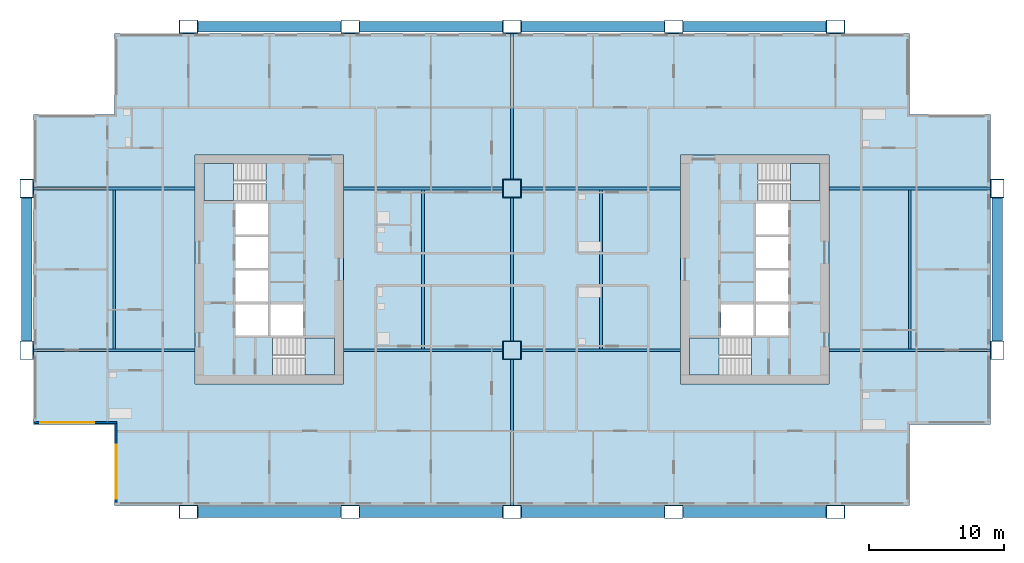
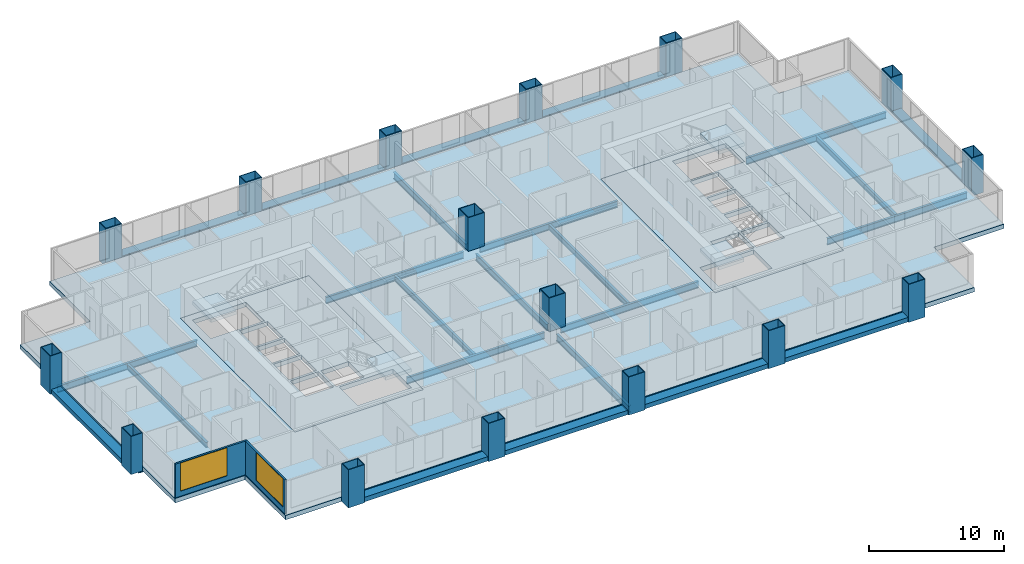
# One storey, part 1 of 12: 25 beams, 16 columns, 7 slabs, 2 walls, 2 windows, 2 openings, 4 elements without a shape of their own.
"""IFC4 building model written with IfcOpenShell, lengths in metres."""

from ifc_helpers import new_model, si_unit, direction, frame, frame_2d, origin, origin_2d, place, context, subcontext, project, spatial, polyline, rectangle, hollow_rectangle, i_section, outline, extrude, material, layer, layer_set, material_profile, profile_set, type_object, element, fill, aggregate, save


model = new_model("IFC4")

# Units and contexts
model_context = context("Model", 3, precision=1e-05, world=origin(), true_north=direction((0.0, 1.0)))
body_context = subcontext(model_context, "Body", "Model", "MODEL_VIEW")
ifc_project = project(units=[si_unit("LENGTHUNIT", "METRE"), si_unit("AREAUNIT", "SQUARE_METRE"), si_unit("VOLUMEUNIT", "CUBIC_METRE"), si_unit("PLANEANGLEUNIT", "RADIAN"), si_unit("MASSUNIT", "GRAM", prefix="KILO")], contexts=[model_context])

# Site, building, storey
site_placement = place(None, origin())
site = spatial("IfcSite", under=ifc_project, at=site_placement, CompositionType="ELEMENT")
building_placement = place(site_placement, origin())
building = spatial("IfcBuilding", under=site, at=building_placement, Name="Kitamizu Gate Tower and Museum", CompositionType="ELEMENT")
storey_placement = place(building_placement, frame((0.0, 0.0, 134.550048828125)))
storey = spatial("IfcBuildingStorey", under=building, at=storey_placement, Name="L35", CompositionType="ELEMENT", Elevation=134.550048828125)

# Columns
ifc_material_1 = material(Name="Steel SM490A bronze coated", Category="steel")
ifc_material_profile_1 = material_profile(ifc_material_1, hollow_rectangle(XDim=1.39990234375, YDim=1.0, WallThickness=0.054931640625, at=origin_2d()), Name="BOX 1400x1000x55")
ifc_profile_set_1 = profile_set([ifc_material_profile_1], Name="Steel SM490A bronze coated")
column_type_1 = type_object("IfcColumnType", Name="Exoskeleton column XC5 BOX 1400x1000x55", PredefinedType="COLUMN", material=ifc_profile_set_1)
for number, where, z_axis, x_axis, name in (
    (1, (0.0, 24.0, -0.400146484375), (0.0, 0.0, 1.0), (0.0, 1.0, 0.0), "Column XC5 1C L35"),
    (2, (0.0, 36.0, -0.400146484375), (0.0, 0.0, 1.0), (0.0, 1.0, 0.0), "Column XC5 1D L35"),
    (3, (12.0, 12.0, -0.400146484375), (0.0, 0.0, 1.0), (1.0, 0.0, 0.0), "Column XC5 2B L35"),
    (4, (12.0, 48.0, -0.400146484375), (0.0, 0.0, 1.0), (1.0, 0.0, 0.0), "Column XC5 2E L35"),
    (5, (24.0, 12.0, -0.400146484375), (0.0, 0.0, 1.0), (1.0, 0.0, 0.0), "Column XC5 3B L35"),
    (6, (24.0, 48.0, -0.400146484375), (0.0, 0.0, 1.0), (1.0, 0.0, 0.0), "Column XC5 3E L35"),
    (7, (36.0, 12.0, -0.400146484375), (0.0, 0.0, 1.0), (1.0, 0.0, 0.0), "Column XC5 4B L35"),
    (8, (36.0, 48.0, -0.400146484375), (0.0, 0.0, 1.0), (1.0, 0.0, 0.0), "Column XC5 4E L35"),
    (9, (48.0, 12.0, -0.400146484375), (0.0, 0.0, 1.0), (1.0, 0.0, 0.0), "Column XC5 5B L35"),
    (10, (48.0, 48.0, -0.400146484375), (0.0, 0.0, 1.0), (1.0, 0.0, 0.0), "Column XC5 5E L35"),
    (11, (60.0, 12.0, -0.400146484375), (0.0, 0.0, 1.0), (1.0, 0.0, 0.0), "Column XC5 6B L35"),
    (12, (60.0, 48.0, -0.400146484375), (0.0, 0.0, 1.0), (1.0, 0.0, 0.0), "Column XC5 6E L35"),
    (13, (72.0, 24.0, -0.400146484375), (0.0, 0.0, 1.0), (0.0, 1.0, 0.0), "Column XC5 7C L35"),
    (14, (72.0, 36.0, -0.400146484375), (0.0, 0.0, 1.0), (0.0, 1.0, 0.0), "Column XC5 7D L35"),
):
    element("IfcColumn", number, at=place(storey_placement, frame(where, z_axis=z_axis, x_axis=x_axis)), inside=storey, type_object=column_type_1, Name=name, PredefinedType="COLUMN", context=body_context, shape_type="SweptSolid", body=[
        extrude(hollow_rectangle(XDim=1.39990234375, YDim=1.0, WallThickness=0.054931640625, at=origin_2d()), origin(), (0.0, 0.0, 1.0), 3.4501953125),
    ])
ifc_material_2 = material(Name="Steel SM490A", Category="steel")
ifc_material_profile_2 = material_profile(ifc_material_2, hollow_rectangle(XDim=1.39990234375, YDim=1.39990234375, WallThickness=0.06005859375, at=origin_2d()), Name="BOX 1400x1400x60")
ifc_profile_set_2 = profile_set([ifc_material_profile_2], Name="Steel SM490A")
column_type_2 = type_object("IfcColumnType", Name="Interior column IC3 BOX 1400x1400x60", PredefinedType="COLUMN", material=ifc_profile_set_2)
for number, where, z_axis, x_axis, name in (
    (15, (36.0, 24.0, 0.0), (0.0, 0.0, 1.0), (1.0, 0.0, 0.0), "Column IC3 4C L35"),
    (16, (36.0, 36.0, 0.0), (0.0, 0.0, 1.0), (1.0, 0.0, 0.0), "Column IC3 4D L35"),
):
    element("IfcColumn", number, at=place(storey_placement, frame(where, z_axis=z_axis, x_axis=x_axis)), inside=storey, type_object=column_type_2, Name=name, PredefinedType="COLUMN", context=body_context, shape_type="SweptSolid", body=[
        extrude(hollow_rectangle(XDim=1.39990234375, YDim=1.39990234375, WallThickness=0.06005859375, at=origin_2d()), origin(), (0.0, 0.0, 1.0), 3.050048828125),
    ])

# Beams
ifc_material_3 = material(Name="Steel SM490A bronze coated", Category="steel")
ifc_material_profile_3 = material_profile(ifc_material_3, hollow_rectangle(XDim=0.800048828125, YDim=0.39990234375, WallThickness=0.0400390625, at=origin_2d()), Name="BOX 800x400x40")
ifc_profile_set_3 = profile_set([ifc_material_profile_3], Name="Steel SM490A bronze coated")
beam_type_1 = type_object("IfcBeamType", Name="Exoskeleton spandrel beam SB1 BOX 800x400x40", PredefinedType="SPANDREL", material=ifc_profile_set_3)
for number, where, z_axis, x_axis, name in (
    (17, (12.699951171875, 12.0, -0.199951171875), (1.0, 0.0, 0.0), (0.0, 1.0, 0.0), "Exoskeleton spandrel beam south 12 L35"),
    (18, (24.699951171875, 12.0, -0.199951171875), (1.0, 0.0, 0.0), (0.0, 1.0, 0.0), "Exoskeleton spandrel beam south 24 L35"),
    (19, (36.699951171875, 12.0, -0.199951171875), (1.0, 0.0, 0.0), (0.0, 1.0, 0.0), "Exoskeleton spandrel beam south 36 L35"),
    (20, (48.699951171875, 12.0, -0.199951171875), (1.0, 0.0, 0.0), (0.0, 1.0, 0.0), "Exoskeleton spandrel beam south 48 L35"),
    (21, (12.699951171875, 48.0, -0.199951171875), (1.0, 0.0, 0.0), (0.0, 1.0, 0.0), "Exoskeleton spandrel beam north 12 L35"),
    (22, (24.699951171875, 48.0, -0.199951171875), (1.0, 0.0, 0.0), (0.0, 1.0, 0.0), "Exoskeleton spandrel beam north 24 L35"),
    (23, (36.699951171875, 48.0, -0.199951171875), (1.0, 0.0, 0.0), (0.0, 1.0, 0.0), "Exoskeleton spandrel beam north 36 L35"),
    (24, (48.699951171875, 48.0, -0.199951171875), (1.0, 0.0, 0.0), (0.0, 1.0, 0.0), "Exoskeleton spandrel beam north 48 L35"),
    (25, (0.0, 24.699951171875, -0.199951171875), (0.0, 1.0, 0.0), (-1.0, 0.0, 0.0), "Exoskeleton spandrel beam west 24 L35"),
    (26, (72.0, 24.699951171875, -0.199951171875), (0.0, 1.0, 0.0), (-1.0, 0.0, 0.0), "Exoskeleton spandrel beam east 24 L35"),
):
    element("IfcBeam", number, at=place(storey_placement, frame(where, z_axis=z_axis, x_axis=x_axis)), inside=storey, type_object=beam_type_1, Name=name, PredefinedType="SPANDREL", context=body_context, shape_type="SweptSolid", body=[
        extrude(hollow_rectangle(XDim=0.800048828125, YDim=0.39990234375, WallThickness=0.0400390625, at=origin_2d()), origin(), (0.0, 0.0, 1.0), 10.60009765625),
    ])
ifc_material_4 = material(Name="Steel SM490A", Category="steel")
ifc_material_profile_4 = material_profile(ifc_material_4, i_section(OverallWidth=0.199951171875, OverallDepth=0.5, WebThickness=0.010009765625, FlangeThickness=0.01611328125, FilletRadius=0.02001953125, at=origin_2d()), Name="H-500x200x10x16")
ifc_profile_set_4 = profile_set([ifc_material_profile_4], Name="Steel SM490A")
beam_type_2 = type_object("IfcBeamType", Name="Floor beam FB1 H 500x200x10x16", PredefinedType="BEAM", material=ifc_profile_set_4)
for number, where, z_axis, x_axis, name in (
    (27, (6.5, 24.10009765625, -0.650146484375), (0.0, 1.0, 0.0), (-1.0, 0.0, 0.0), "Floor beam FB1 L35-1"),
    (28, (29.39990234375, 24.10009765625, -0.650146484375), (0.0, 1.0, 0.0), (-1.0, 0.0, 0.0), "Floor beam FB1 L35-2"),
    (29, (42.60009765625, 24.10009765625, -0.650146484375), (0.0, 1.0, 0.0), (-1.0, 0.0, 0.0), "Floor beam FB1 L35-3"),
    (30, (65.5, 24.10009765625, -0.650146484375), (0.0, 1.0, 0.0), (-1.0, 0.0, 0.0), "Floor beam FB1 L35-4"),
):
    element("IfcBeam", number, at=place(storey_placement, frame(where, z_axis=z_axis, x_axis=x_axis)), inside=storey, type_object=beam_type_2, Name=name, PredefinedType="BEAM", context=body_context, shape_type="SweptSolid", body=[
        extrude(i_section(OverallWidth=0.199951171875, OverallDepth=0.5, WebThickness=0.010009765625, FlangeThickness=0.01611328125, FilletRadius=0.02001953125, at=origin_2d()), origin(), (0.0, 0.0, 1.0), 11.7998046875),
    ])
ifc_material_5 = material(Name="Steel SM490A", Category="steel")
ifc_material_profile_5 = material_profile(ifc_material_5, i_section(OverallWidth=0.199951171875, OverallDepth=0.60009765625, WebThickness=0.010986328125, FlangeThickness=0.01708984375, FilletRadius=0.02197265625, at=origin_2d()), Name="H-600x200x11x17")
ifc_profile_set_5 = profile_set([ifc_material_profile_5], Name="Steel SM490A")
beam_type_3 = type_object("IfcBeamType", Name="Floor girder FG1 H 600x200x11x17", PredefinedType="BEAM", material=ifc_profile_set_5)
beam_1_placement = place(storey_placement, frame((36.0, 12.5, -0.699951171875), z_axis=(0.0, 1.0, 0.0), x_axis=(-1.0, 0.0, 0.0)))
element("IfcBeam", 31, at=beam_1_placement, inside=storey, type_object=beam_type_3, Name="Floor girder FG1 x36 L35", PredefinedType="BEAM", context=body_context, shape_type="SweptSolid", body=[
    extrude(i_section(OverallWidth=0.199951171875, OverallDepth=0.60009765625, WebThickness=0.010986328125, FlangeThickness=0.01708984375, FilletRadius=0.02197265625, at=origin_2d()), origin(), (0.0, 0.0, 1.0), 10.800048828125),
])
beam_2_placement = place(storey_placement, frame((36.0, 24.699951171875, -0.699951171875), z_axis=(0.0, 1.0, 0.0), x_axis=(-1.0, 0.0, 0.0)))
element("IfcBeam", 32, at=beam_2_placement, inside=storey, type_object=beam_type_3, Name="Floor girder FG1 x36 L35", PredefinedType="BEAM", context=body_context, shape_type="SweptSolid", body=[
    extrude(i_section(OverallWidth=0.199951171875, OverallDepth=0.60009765625, WebThickness=0.010986328125, FlangeThickness=0.01708984375, FilletRadius=0.02197265625, at=origin_2d()), origin(), (0.0, 0.0, 1.0), 10.60009765625),
])
beam_3_placement = place(storey_placement, frame((36.0, 36.699951171875, -0.699951171875), z_axis=(0.0, 1.0, 0.0), x_axis=(-1.0, 0.0, 0.0)))
element("IfcBeam", 33, at=beam_3_placement, inside=storey, type_object=beam_type_3, Name="Floor girder FG1 x36 L35", PredefinedType="BEAM", context=body_context, shape_type="SweptSolid", body=[
    extrude(i_section(OverallWidth=0.199951171875, OverallDepth=0.60009765625, WebThickness=0.010986328125, FlangeThickness=0.01708984375, FilletRadius=0.02197265625, at=origin_2d()), origin(), (0.0, 0.0, 1.0), 10.800048828125),
])
beam_4_placement = place(storey_placement, frame((0.5, 24.0, -0.699951171875), z_axis=(1.0, 0.0, 0.0), x_axis=(0.0, 1.0, 0.0)))
element("IfcBeam", 34, at=beam_4_placement, inside=storey, type_object=beam_type_3, Name="Floor girder FG1 y24 L35", PredefinedType="BEAM", context=body_context, shape_type="SweptSolid", body=[
    extrude(i_section(OverallWidth=0.199951171875, OverallDepth=0.60009765625, WebThickness=0.010986328125, FlangeThickness=0.01708984375, FilletRadius=0.02197265625, at=origin_2d()), origin(), (0.0, 0.0, 1.0), 12.0),
])
for number, where, z_axis, x_axis, name in (
    (35, (23.5, 24.0, -0.699951171875), (1.0, 0.0, 0.0), (0.0, 1.0, 0.0), "Floor girder FG1 y24 L35"),
    (36, (36.699951171875, 24.0, -0.699951171875), (1.0, 0.0, 0.0), (0.0, 1.0, 0.0), "Floor girder FG1 y24 L35"),
):
    element("IfcBeam", number, at=place(storey_placement, frame(where, z_axis=z_axis, x_axis=x_axis)), inside=storey, type_object=beam_type_3, Name=name, PredefinedType="BEAM", context=body_context, shape_type="SweptSolid", body=[
        extrude(i_section(OverallWidth=0.199951171875, OverallDepth=0.60009765625, WebThickness=0.010986328125, FlangeThickness=0.01708984375, FilletRadius=0.02197265625, at=origin_2d()), origin(), (0.0, 0.0, 1.0), 11.800048828125),
    ])
for number, where, z_axis, x_axis, name in (
    (37, (59.5, 24.0, -0.699951171875), (1.0, 0.0, 0.0), (0.0, 1.0, 0.0), "Floor girder FG1 y24 L35"),
    (38, (0.5, 36.0, -0.699951171875), (1.0, 0.0, 0.0), (0.0, 1.0, 0.0), "Floor girder FG1 y36 L35"),
):
    element("IfcBeam", number, at=place(storey_placement, frame(where, z_axis=z_axis, x_axis=x_axis)), inside=storey, type_object=beam_type_3, Name=name, PredefinedType="BEAM", context=body_context, shape_type="SweptSolid", body=[
        extrude(i_section(OverallWidth=0.199951171875, OverallDepth=0.60009765625, WebThickness=0.010986328125, FlangeThickness=0.01708984375, FilletRadius=0.02197265625, at=origin_2d()), origin(), (0.0, 0.0, 1.0), 12.0),
    ])
for number, where, z_axis, x_axis, name in (
    (39, (23.5, 36.0, -0.699951171875), (1.0, 0.0, 0.0), (0.0, 1.0, 0.0), "Floor girder FG1 y36 L35"),
    (40, (36.699951171875, 36.0, -0.699951171875), (1.0, 0.0, 0.0), (0.0, 1.0, 0.0), "Floor girder FG1 y36 L35"),
):
    element("IfcBeam", number, at=place(storey_placement, frame(where, z_axis=z_axis, x_axis=x_axis)), inside=storey, type_object=beam_type_3, Name=name, PredefinedType="BEAM", context=body_context, shape_type="SweptSolid", body=[
        extrude(i_section(OverallWidth=0.199951171875, OverallDepth=0.60009765625, WebThickness=0.010986328125, FlangeThickness=0.01708984375, FilletRadius=0.02197265625, at=origin_2d()), origin(), (0.0, 0.0, 1.0), 11.800048828125),
    ])
beam_5_placement = place(storey_placement, frame((59.5, 36.0, -0.699951171875), z_axis=(1.0, 0.0, 0.0), x_axis=(0.0, 1.0, 0.0)))
element("IfcBeam", 41, at=beam_5_placement, inside=storey, type_object=beam_type_3, Name="Floor girder FG1 y36 L35", PredefinedType="BEAM", context=body_context, shape_type="SweptSolid", body=[
    extrude(i_section(OverallWidth=0.199951171875, OverallDepth=0.60009765625, WebThickness=0.010986328125, FlangeThickness=0.01708984375, FilletRadius=0.02197265625, at=origin_2d()), origin(), (0.0, 0.0, 1.0), 12.0),
])

# Slabs
ifc_material_6 = material(Name="Concrete Fc36", Category="concrete")
ifc_layer_1 = layer(ifc_material_6, 0.39990234375)
ifc_layer_set_1 = layer_set([ifc_layer_1], Name="Concrete Fc36")
slab_type_1 = type_object("IfcSlabType", Name="Core floor slab 400", PredefinedType="FLOOR", material=ifc_layer_set_1)
slab_1_placement = place(storey_placement, frame((0.0, 0.0, -0.400146484375)))
element("IfcSlab", 42, at=slab_1_placement, inside=storey, type_object=slab_type_1, Name="Core floor slab W", PredefinedType="FLOOR", context=body_context, shape_type="SweptSolid", body=[
    extrude(outline(polyline([(12.5, 21.5), (23.5, 21.5), (23.5, 38.5), (12.5, 38.5), (12.5, 21.5)]), holes=[polyline([(15.5, 25.10009765625), (17.89990234375, 25.10009765625), (17.89990234375, 27.39990234375), (15.5, 27.39990234375), (15.5, 25.10009765625)]), polyline([(15.5, 27.60009765625), (17.89990234375, 27.60009765625), (17.89990234375, 29.89990234375), (15.5, 29.89990234375), (15.5, 27.60009765625)]), polyline([(15.5, 30.10009765625), (17.89990234375, 30.10009765625), (17.89990234375, 32.39990234375), (15.5, 32.39990234375), (15.5, 30.10009765625)]), polyline([(15.5, 32.60009765625), (17.89990234375, 32.60009765625), (17.89990234375, 34.89990234375), (15.5, 34.89990234375), (15.5, 32.60009765625)]), polyline([(18.10009765625, 25.10009765625), (20.5, 25.10009765625), (20.5, 27.39990234375), (18.10009765625, 27.39990234375), (18.10009765625, 25.10009765625)]), polyline([(18.25048828125, 22.14990234375), (22.85009765625, 22.14990234375), (22.85009765625, 24.89990234375), (18.25048828125, 24.89990234375), (18.25048828125, 22.14990234375)]), polyline([(13.14990234375, 35.10009765625), (17.74951171875, 35.10009765625), (17.74951171875, 37.85009765625), (13.14990234375, 37.85009765625), (13.14990234375, 35.10009765625)])]), origin(), (0.0, 0.0, 1.0), 0.400146484375),
])
slab_2_placement = place(storey_placement, frame((0.0, 0.0, -0.400146484375)))
element("IfcSlab", 43, at=slab_2_placement, inside=storey, type_object=slab_type_1, Name="Core floor slab E", PredefinedType="FLOOR", context=body_context, shape_type="SweptSolid", body=[
    extrude(outline(polyline([(48.5, 21.5), (59.5, 21.5), (59.5, 38.5), (48.5, 38.5), (48.5, 21.5)]), holes=[polyline([(54.10009765625, 25.10009765625), (56.5, 25.10009765625), (56.5, 27.39990234375), (54.10009765625, 27.39990234375), (54.10009765625, 25.10009765625)]), polyline([(54.10009765625, 27.60009765625), (56.5, 27.60009765625), (56.5, 29.89990234375), (54.10009765625, 29.89990234375), (54.10009765625, 27.60009765625)]), polyline([(54.10009765625, 30.10009765625), (56.5, 30.10009765625), (56.5, 32.39990234375), (54.10009765625, 32.39990234375), (54.10009765625, 30.10009765625)]), polyline([(54.10009765625, 32.60009765625), (56.5, 32.60009765625), (56.5, 34.89990234375), (54.10009765625, 34.89990234375), (54.10009765625, 32.60009765625)]), polyline([(51.5, 25.10009765625), (53.89990234375, 25.10009765625), (53.89990234375, 27.39990234375), (51.5, 27.39990234375), (51.5, 25.10009765625)]), polyline([(49.14990234375, 22.14990234375), (53.74951171875, 22.14990234375), (53.74951171875, 24.89990234375), (49.14990234375, 24.89990234375), (49.14990234375, 22.14990234375)]), polyline([(54.25048828125, 35.10009765625), (58.85009765625, 35.10009765625), (58.85009765625, 37.85009765625), (54.25048828125, 37.85009765625), (54.25048828125, 35.10009765625)])]), origin(), (0.0, 0.0, 1.0), 0.400146484375),
])
ifc_material_7 = material(Name="Concrete Fc36", Category="concrete")
ifc_layer_2 = layer(ifc_material_7, 0.39990234375)
ifc_layer_set_2 = layer_set([ifc_layer_2], Name="Concrete Fc36")
slab_type_2 = type_object("IfcSlabType", Name="Post tensioned flat slab 400", PredefinedType="FLOOR", material=ifc_layer_set_2)
slab_3_placement = place(storey_placement, frame((0.0, 0.0, -0.400146484375)))
element("IfcSlab", 44, at=slab_3_placement, inside=storey, type_object=slab_type_2, Name="Floor slab L35-1", PredefinedType="FLOOR", context=body_context, shape_type="SweptSolid", body=[
    extrude(outline(polyline([(0.5, 18.5), (0.5, 41.5), (6.5, 41.5), (6.5, 47.5), (65.5, 47.5), (65.5, 41.5), (71.5, 41.5), (71.5, 18.5), (65.5, 18.5), (65.5, 12.5), (6.5, 12.5), (6.5, 18.5), (0.5, 18.5)]), holes=[polyline([(59.5, 38.5), (48.5, 38.5), (48.5, 21.5), (59.5, 21.5), (59.5, 38.5)]), polyline([(12.5, 38.5), (12.5, 21.5), (23.5, 21.5), (23.5, 38.5), (12.5, 38.5)])]), origin(), (0.0, 0.0, 1.0), 0.400146484375),
])

# Stair, slab
ifc_material_8 = material(Name="Concrete Fc42", Category="concrete")
stair_type = type_object("IfcStairType", Name="Exit stair 1275 wide 192 rise 300 going", PredefinedType="HALF_TURN_STAIR", material=ifc_material_8)
stair_1_placement = place(storey_placement, origin())
stair_1 = element("IfcStair", 45, at=stair_1_placement, inside=storey, type_object=stair_type, Name="Exit stair ST1", PredefinedType="HALF_TURN_STAIR")
ifc_material_9 = material(Name="Concrete Fc42", Category="concrete")
ifc_layer_3 = layer(ifc_material_9, 0.300048828125)
ifc_layer_set_3 = layer_set([ifc_layer_3], Name="Concrete Fc42")
slab_type_3 = type_object("IfcSlabType", Name="Stair landing 300", PredefinedType="LANDING", material=ifc_layer_set_3)
slab_4_placement = place(storey_placement, frame((0.0, 0.0, 1.425048828125)))
slab_4 = element("IfcSlab", 46, at=slab_4_placement, type_object=slab_type_3, Name="ST1 landing 1", PredefinedType="LANDING", context=body_context, shape_type="SweptSolid", body=[
    extrude(outline(polyline([(20.64990234375, 22.14990234375), (22.85009765625, 22.14990234375), (22.85009765625, 24.89990234375), (20.64990234375, 24.89990234375), (20.64990234375, 22.14990234375)])), origin(), (0.0, 0.0, 1.0), 0.2998046875),
])
aggregate(stair_1, [slab_4])

stair_2_placement = place(storey_placement, origin())
stair_2 = element("IfcStair", 47, at=stair_2_placement, inside=storey, type_object=stair_type, Name="Exit stair ST2", PredefinedType="HALF_TURN_STAIR")
slab_5_placement = place(storey_placement, frame((0.0, 0.0, 1.425048828125)))
slab_5 = element("IfcSlab", 48, at=slab_5_placement, type_object=slab_type_3, Name="ST2 landing 1", PredefinedType="LANDING", context=body_context, shape_type="SweptSolid", body=[
    extrude(outline(polyline([(13.14990234375, 35.10009765625), (15.35009765625, 35.10009765625), (15.35009765625, 37.85009765625), (13.14990234375, 37.85009765625), (13.14990234375, 35.10009765625)])), origin(), (0.0, 0.0, 1.0), 0.2998046875),
])
aggregate(stair_2, [slab_5])

stair_3_placement = place(storey_placement, origin())
stair_3 = element("IfcStair", 49, at=stair_3_placement, inside=storey, type_object=stair_type, Name="Exit stair ST3", PredefinedType="HALF_TURN_STAIR")
slab_6_placement = place(storey_placement, frame((0.0, 0.0, 1.425048828125)))
slab_6 = element("IfcSlab", 50, at=slab_6_placement, type_object=slab_type_3, Name="ST3 landing 1", PredefinedType="LANDING", context=body_context, shape_type="SweptSolid", body=[
    extrude(outline(polyline([(49.14990234375, 22.14990234375), (51.35009765625, 22.14990234375), (51.35009765625, 24.89990234375), (49.14990234375, 24.89990234375), (49.14990234375, 22.14990234375)])), origin(), (0.0, 0.0, 1.0), 0.2998046875),
])
aggregate(stair_3, [slab_6])

stair_4_placement = place(storey_placement, origin())
stair_4 = element("IfcStair", 51, at=stair_4_placement, inside=storey, type_object=stair_type, Name="Exit stair ST4", PredefinedType="HALF_TURN_STAIR")
slab_7_placement = place(storey_placement, frame((0.0, 0.0, 1.425048828125)))
slab_7 = element("IfcSlab", 52, at=slab_7_placement, type_object=slab_type_3, Name="ST4 landing 1", PredefinedType="LANDING", context=body_context, shape_type="SweptSolid", body=[
    extrude(outline(polyline([(56.64990234375, 35.10009765625), (58.85009765625, 35.10009765625), (58.85009765625, 37.85009765625), (56.64990234375, 37.85009765625), (56.64990234375, 35.10009765625)])), origin(), (0.0, 0.0, 1.0), 0.2998046875),
])
aggregate(stair_4, [slab_7])

# Wall, opening, window
ifc_material_10 = material(Name="Bronze anodised aluminium frame with insulated spandrel and tinted glass", Category="aluminium")
ifc_layer_4 = layer(ifc_material_10, 0.14990234375)
ifc_layer_set_4 = layer_set([ifc_layer_4], Name="Bronze anodised aluminium frame with insulated spandrel and tinted glass")
wall_type = type_object("IfcWallType", Name="WINDOW WALL 150 BRONZE FRAME EI 30", PredefinedType="ELEMENTEDWALL", material=ifc_layer_set_4)
wall_1_placement = place(storey_placement, frame((0.56005859375, 18.635009765625, 0.0), z_axis=(0.0, 0.0, 1.0), x_axis=(1.0, 0.0, 0.0)))
wall_1 = element("IfcWall", 53, at=wall_1_placement, inside=storey, type_object=wall_type, Name="Window wall south L35", PredefinedType="ELEMENTEDWALL", context=body_context, shape_type="SweptSolid", body=[
    extrude(rectangle(XDim=6.14990234375, YDim=0.14990234375, at=frame_2d((3.074951171875, 0.0))), origin(), (0.0, 0.0, 1.0), 3.050048828125),
])
opening_1_placement = place(wall_1_placement, frame((0.43994140625, 0.0, 0.449951171875)))
opening_1 = element("IfcOpeningElement", 54, at=opening_1_placement, cuts=wall_1, Name="Opening W16", PredefinedType="OPENING", context=body_context, shape_type="SweptSolid", body=[
    extrude(rectangle(XDim=4.0, YDim=2.550048828125, at=frame_2d((2.0, 1.27490234375))), frame((0.0, 0.0849609375, 0.0), z_axis=(0.0, -1.0, 0.0), x_axis=(1.0, 0.0, 0.0)), (0.0, 0.0, 1.0), 0.169921875),
])
ifc_material_11 = material(Name="Bronze anodised aluminium frame, tinted triple glazing", Category="aluminium")
window_type = type_object("IfcWindowType", Name="WINDOW 4000 x 2550 SILL 450", PartitioningType="SINGLE_PANEL", PredefinedType="WINDOW", material=ifc_material_11)
window_1_placement = place(opening_1_placement, origin())
window_1 = element("IfcWindow", 55, at=window_1_placement, inside=storey, type_object=window_type, Name="Window W16 L35", OverallHeight=2.550048828125, OverallWidth=4.0, PartitioningType="SINGLE_PANEL", PredefinedType="WINDOW", context=body_context, shape_type="SweptSolid", body=[
    extrude(rectangle(XDim=4.0, YDim=2.550048828125, at=frame_2d((2.0, 1.27490234375))), frame((0.0, 0.030029296875, 0.0), z_axis=(0.0, -1.0, 0.0), x_axis=(1.0, 0.0, 0.0)), (0.0, 0.0, 1.0), 0.06005859375),
])
fill(opening_1, window_1)

wall_2_placement = place(storey_placement, frame((6.635009765625, 12.7099609375, 0.0), z_axis=(0.0, 0.0, 1.0), x_axis=(0.0, 1.0, 0.0)))
wall_2 = element("IfcWall", 56, at=wall_2_placement, inside=storey, type_object=wall_type, Name="Window wall west L35", PredefinedType="ELEMENTEDWALL", context=body_context, shape_type="SweptSolid", body=[
    extrude(rectangle(XDim=5.85009765625, YDim=0.14990234375, at=frame_2d((2.925048828125, 0.0))), origin(), (0.0, 0.0, 1.0), 3.050048828125),
])
opening_2_placement = place(wall_2_placement, frame((0.2900390625, 0.0, 0.449951171875)))
opening_2 = element("IfcOpeningElement", 57, at=opening_2_placement, cuts=wall_2, Name="Opening W16", PredefinedType="OPENING", context=body_context, shape_type="SweptSolid", body=[
    extrude(rectangle(XDim=4.0, YDim=2.550048828125, at=frame_2d((2.0, 1.27490234375))), frame((0.0, 0.0849609375, 0.0), z_axis=(0.0, -1.0, 0.0), x_axis=(1.0, 0.0, 0.0)), (0.0, 0.0, 1.0), 0.169921875),
])
window_2_placement = place(opening_2_placement, origin())
window_2 = element("IfcWindow", 58, at=window_2_placement, inside=storey, type_object=window_type, Name="Window W16 L35", OverallHeight=2.550048828125, OverallWidth=4.0, PartitioningType="SINGLE_PANEL", PredefinedType="WINDOW", context=body_context, shape_type="SweptSolid", body=[
    extrude(rectangle(XDim=4.0, YDim=2.550048828125, at=frame_2d((2.0, 1.27490234375))), frame((0.0, 0.030029296875, 0.0), z_axis=(0.0, -1.0, 0.0), x_axis=(1.0, 0.0, 0.0)), (0.0, 0.0, 1.0), 0.06005859375),
])
fill(opening_2, window_2)

save(model, "model.ifc")
